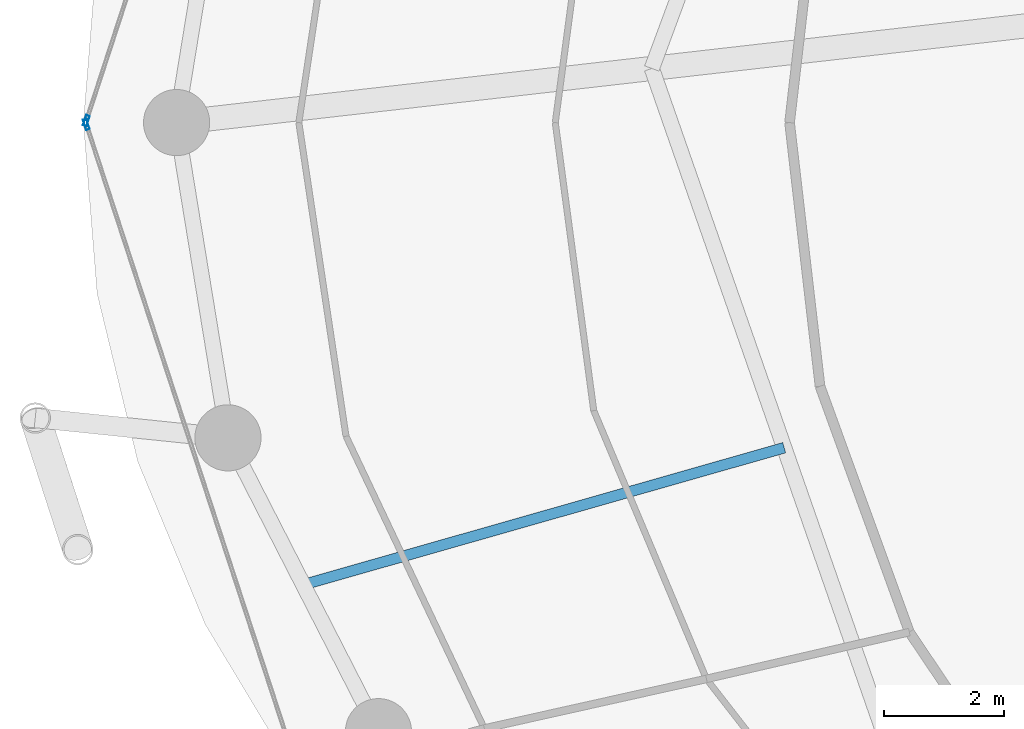
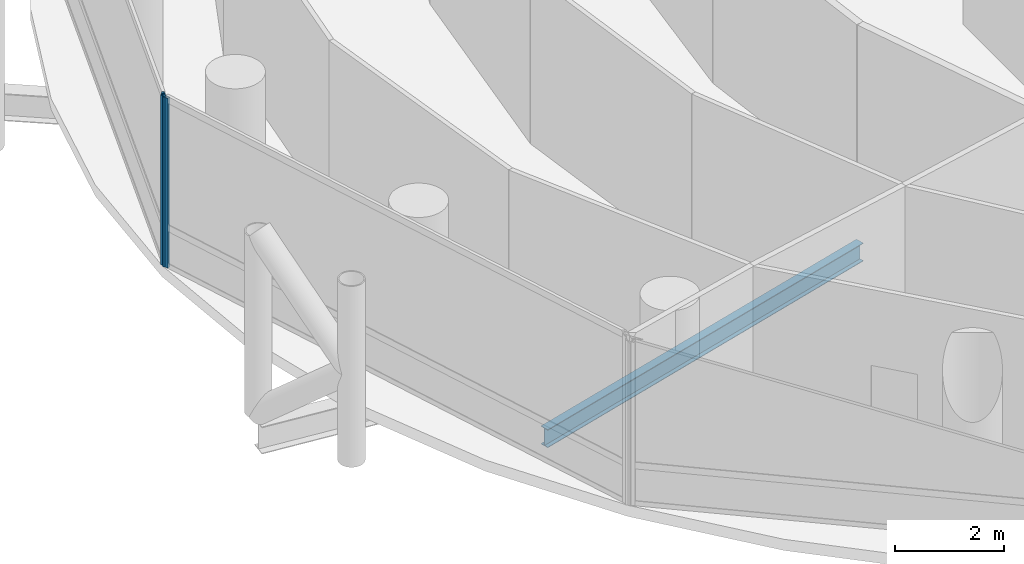
# One storey, part 6 of 26: 2 members, 1 beam, 2 elements without a shape of their own.
"""IFC4 building model written with IfcOpenShell, lengths in metres."""

import ifcopenshell
import ifcopenshell.guid

model = None  # the IFC model being written
_history = None  # IfcOwnerHistory: only IFC2X3 demands one
_inside = {}  # id of a spatial element -> (the spatial element, [elements in it])
_under = {}  # id of a project, library or spatial element -> (it, [spatial elements below it])
_declared = {}  # id of a project -> (the project, [libraries it declares])
_typed = {}  # id of a type object -> (the type object, [elements of that type])
_made_of = {}  # id of a material, layer set ... -> (it, [elements and type objects made of it])


def new_model(schema):
    """Start an empty IFC model of exactly this schema.

    Asked for "IFC4X3", IfcOpenShell would pick the latest addendum, in which some entities
    have other attributes; the version numbers below select the first issue.
    IFC2X3 requires an IfcOwnerHistory on every rooted entity: one is made here for all.
    """
    global model, _history
    if schema == "IFC4X3":
        model = ifcopenshell.file(schema_version=(4, 3, 0, 0))
    else:
        model = ifcopenshell.file(schema=schema)
    _inside.clear()
    _under.clear()
    _declared.clear()
    _typed.clear()
    _made_of.clear()
    _history = None
    if model.schema == "IFC2X3":
        org = make("IfcOrganization", Name="unknown")
        user = make(
            "IfcPersonAndOrganization",
            ThePerson=make("IfcPerson", FamilyName="unknown"),
            TheOrganization=org,
        )
        app = make(
            "IfcApplication",
            ApplicationDeveloper=org,
            Version="unknown",
            ApplicationFullName="unknown",
            ApplicationIdentifier="unknown",
        )
        _history = make(
            "IfcOwnerHistory",
            OwningUser=user,
            OwningApplication=app,
            ChangeAction="ADDED",
            CreationDate=0,
        )
    return model


def make(cls, **values):
    """One entity of the class cls with the attributes given. An attribute that is None is left unset."""
    return model.create_entity(
        cls, **{name: value for name, value in values.items() if value is not None}
    )


def rooted(cls, **values):
    """An entity with a GlobalId (a new one), such as an element, a storey or a relation."""
    return make(cls, GlobalId=ifcopenshell.guid.new(), OwnerHistory=_history, **values)


def si_unit(unit_type, name, prefix=None):
    """IfcSIUnit, for example si_unit("LENGTHUNIT", "METRE", prefix="MILLI")."""
    return make("IfcSIUnit", UnitType=unit_type, Prefix=prefix, Name=name)


def assignment(units):
    """IfcUnitAssignment: the units of a project."""
    return None if units is None else make("IfcUnitAssignment", Units=units)


def point(xyz):
    """IfcCartesianPoint."""
    return None if xyz is None else make("IfcCartesianPoint", Coordinates=xyz)


def direction(xyz):
    """IfcDirection."""
    return None if xyz is None else make("IfcDirection", DirectionRatios=xyz)


def frame(location, z_axis=None, x_axis=None):
    """IfcAxis2Placement3D, a coordinate frame: its origin and axes. An axis left out is left unset."""
    return make(
        "IfcAxis2Placement3D",
        Location=point(location),
        Axis=direction(z_axis),
        RefDirection=direction(x_axis),
    )


def frame_2d(location, x_axis=None):
    """IfcAxis2Placement2D, a coordinate frame in the plane: its origin and x axis."""
    return make(
        "IfcAxis2Placement2D", Location=point(location), RefDirection=direction(x_axis)
    )


def origin():
    """The frame at (0, 0, 0) with its axes left unset."""
    return frame((0.0, 0.0, 0.0))


def origin_2d():
    """The frame at (0, 0) in the plane with its x axis left unset."""
    return frame_2d((0.0, 0.0))


def place(relative_to, where):
    """IfcLocalPlacement: puts the frame where relative to a parent placement (None: the world)."""
    return make(
        "IfcLocalPlacement", PlacementRelTo=relative_to, RelativePlacement=where
    )


def context(
    kind, dimensions, precision=None, world=None, true_north=None, identifier=None
):
    """IfcGeometricRepresentationContext, for example the 3D "Model" context."""
    return make(
        "IfcGeometricRepresentationContext",
        ContextIdentifier=identifier,
        ContextType=kind,
        CoordinateSpaceDimension=dimensions,
        Precision=precision,
        WorldCoordinateSystem=world,
        TrueNorth=true_north,
    )


def subcontext(parent, identifier, kind, view, scale=None):
    """IfcGeometricRepresentationSubContext, for example "Body" below "Model"."""
    return make(
        "IfcGeometricRepresentationSubContext",
        ContextIdentifier=identifier,
        ContextType=kind,
        ParentContext=parent,
        TargetScale=scale,
        TargetView=view,
    )


def project(units=None, contexts=None):
    """IfcProject with its units and contexts."""
    return rooted(
        "IfcProject",
        Name="project",
        RepresentationContexts=contexts,
        UnitsInContext=assignment(units),
    )


def spatial(cls, under=None, at=None, **own):
    """A site, building, storey or space (cls), placed at a placement, below another one or the project."""
    s = rooted(cls, ObjectPlacement=at, **own)
    if under is not None:
        _under.setdefault(under.id(), (under, []))[1].append(s)
    return s


def profile(cls, at=None, kind="AREA", **sizes):
    """A parametric profile (cls). Its sizes go by their IFC names, for example OverallWidth=200.0."""
    return make(cls, ProfileType=kind, Position=at, **sizes)


def hollow_rectangle(**sizes):
    """IfcRectangleHollowProfileDef."""
    return profile("IfcRectangleHollowProfileDef", **sizes)


def i_section(**sizes):
    """IfcIShapeProfileDef."""
    return profile("IfcIShapeProfileDef", **sizes)


def extrude(swept, where, along, depth):
    """IfcExtrudedAreaSolid: the profile swept, set in the frame where, extruded along a direction by depth."""
    return make(
        "IfcExtrudedAreaSolid",
        SweptArea=swept,
        Position=where,
        ExtrudedDirection=direction(along),
        Depth=depth,
    )


def shape(context_of_items, identifier, shape_type, items):
    """IfcShapeRepresentation: the items that make up one representation, for example the "Body"."""
    return make(
        "IfcShapeRepresentation",
        ContextOfItems=context_of_items,
        RepresentationIdentifier=identifier,
        RepresentationType=shape_type,
        Items=items,
    )


def material(Name=None, Category=None):
    """IfcMaterial."""
    return make("IfcMaterial", Name=Name, Category=Category)


def layer(
    of_material, thickness, ventilated=None, Name=None, Category=None, Priority=None
):
    """IfcMaterialLayer: one layer of a wall or slab, of a material (None: an air gap)."""
    return make(
        "IfcMaterialLayer",
        Material=of_material,
        LayerThickness=thickness,
        IsVentilated=ventilated,
        Name=Name,
        Category=Category,
        Priority=Priority,
    )


def layer_set(layers, Name=None):
    """IfcMaterialLayerSet."""
    return make("IfcMaterialLayerSet", MaterialLayers=layers, LayerSetName=Name)


def material_profile(
    of_material, cross_section, Name=None, Category=None, Priority=None
):
    """IfcMaterialProfile: a cross section and its material."""
    return make(
        "IfcMaterialProfile",
        Name=Name,
        Material=of_material,
        Profile=cross_section,
        Priority=Priority,
        Category=Category,
    )


def profile_set(profiles, Name=None, composite=None):
    """IfcMaterialProfileSet."""
    return make(
        "IfcMaterialProfileSet",
        Name=Name,
        MaterialProfiles=profiles,
        CompositeProfile=composite,
    )


def made_of(thing, what):
    """Note that an element or type object is made of a material, layer set ...; save() writes the relation."""
    if what is not None:
        _made_of.setdefault(what.id(), (what, []))[1].append(thing)
    return thing


def type_object(cls, material=None, **own):
    """A type object (cls), such as IfcWallType, which elements share."""
    return made_of(rooted(cls, **own), material)


def element(
    cls,
    number,
    at=None,
    inside=None,
    cuts=None,
    type_object=None,
    material=None,
    context=None,
    identifier="Body",
    shape_type=None,
    held_by="IfcProductDefinitionShape",
    body=None,
    shapes=None,
    **own,
):
    """One element of the class cls, such as IfcWall. Its Tag is "e" and its number.

    at: its placement. inside: the storey or other place that contains it. cuts: it is an
    opening in that element (IfcRelVoidsElement). A single representation is given by context,
    identifier, shape_type and body (its items); several are given by shapes. held_by: the class
    of the entity that holds the representations. save() writes the other relations.
    """
    e = rooted(cls, Tag="e%d" % number, ObjectPlacement=at, **own)
    if body is not None:
        shapes = [shape(context, identifier, shape_type, body)]
    if shapes is not None:
        e.Representation = make(held_by, Representations=shapes)
    if inside is not None:
        _inside.setdefault(inside.id(), (inside, []))[1].append(e)
    if cuts is not None:
        rooted(
            "IfcRelVoidsElement", RelatingBuildingElement=cuts, RelatedOpeningElement=e
        )
    if type_object is not None:
        _typed.setdefault(type_object.id(), (type_object, []))[1].append(e)
    return made_of(e, material)


def aggregate(whole, parts):
    """IfcRelAggregates: a whole, such as a stair, and the parts it consists of."""
    return rooted("IfcRelAggregates", RelatingObject=whole, RelatedObjects=parts)


def save(model, path):
    """Write the relations noted so far, then the file.

    IfcRelAggregates (storeys below a building ...), IfcRelContainedInSpatialStructure (elements
    in a storey), IfcRelDefinesByType, IfcRelAssociatesMaterial and IfcRelDeclares: one each for
    every whole, place, type object, material and project.
    """
    for whole, parts in _under.values():
        aggregate(whole, parts)
    for where, things in _inside.values():
        rooted(
            "IfcRelContainedInSpatialStructure",
            RelatedElements=things,
            RelatingStructure=where,
        )
    for kind, things in _typed.values():
        rooted("IfcRelDefinesByType", RelatedObjects=things, RelatingType=kind)
    for what, things in _made_of.values():
        rooted("IfcRelAssociatesMaterial", RelatedObjects=things, RelatingMaterial=what)
    for by, libraries in _declared.values():
        rooted("IfcRelDeclares", RelatingContext=by, RelatedDefinitions=libraries)
    model.write(path)


model = new_model("IFC4")

# Units and contexts
model_context = context("Model", 3, precision=1e-05, world=origin(), true_north=direction((0.0, 1.0)))
body_context = subcontext(model_context, "Body", "Model", "MODEL_VIEW")
ifc_project = project(units=[si_unit("LENGTHUNIT", "METRE"), si_unit("AREAUNIT", "SQUARE_METRE"), si_unit("VOLUMEUNIT", "CUBIC_METRE"), si_unit("PLANEANGLEUNIT", "RADIAN"), si_unit("MASSUNIT", "GRAM", prefix="KILO")], contexts=[model_context])

# Site, building, storey
site_placement = place(None, origin())
site = spatial("IfcSite", under=ifc_project, at=site_placement, CompositionType="ELEMENT")
building_placement = place(site_placement, origin())
building = spatial("IfcBuilding", under=site, at=building_placement, Name="Nuhasar Tower", CompositionType="ELEMENT")
storey_placement = place(building_placement, frame((0.0, 0.0, 97.949951171875)))
storey = spatial("IfcBuildingStorey", under=building, at=storey_placement, Name="L23", CompositionType="ELEMENT", Elevation=97.949951171875)

# Beam
ifc_material_1 = material(Name="Steel S355", Category="steel")
ifc_material_profile_1 = material_profile(ifc_material_1, i_section(OverallWidth=0.177978515625, OverallDepth=0.406005859375, WebThickness=0.0078125, FlangeThickness=0.0126953125, at=origin_2d()), Name="W16X40")
ifc_profile_set_1 = profile_set([ifc_material_profile_1], Name="Steel S355")
beam_type = type_object("IfcBeamType", Name="BM-JST-W16X40", PredefinedType="JOIST", material=ifc_profile_set_1)
beam_placement = place(storey_placement, frame((24.051025390625, 21.39501953125, -0.452880859375), z_axis=(-0.961730884496, -0.273995813484, 0.0), x_axis=(0.273995813484, -0.961730884496, 0.0)))
element("IfcBeam", 1, at=beam_placement, inside=storey, type_object=beam_type, Name="L23 Secondary Floor Joist 08", PredefinedType="JOIST", context=body_context, shape_type="SweptSolid", body=[
    extrude(i_section(OverallWidth=0.177978515625, OverallDepth=0.406005859375, WebThickness=0.0078125, FlangeThickness=0.0126953125, at=origin_2d()), origin(), (0.0, 0.0, 1.0), 8.314208984375),
])

# Curtain wall, member
ifc_material_2 = material(Name="Aluminium 6063-T6", Category="aluminium")
ifc_layer = layer(ifc_material_2, 0.199951171875)
ifc_layer_set = layer_set([ifc_layer], Name="Aluminium 6063-T6")
curtain_wall_type = type_object("IfcCurtainWallType", Name="CW-Z1-OFF", PredefinedType="NOTDEFINED", material=ifc_layer_set)
curtain_wall_1_placement = place(storey_placement, origin())
curtain_wall_1 = element("IfcCurtainWall", 2, at=curtain_wall_1_placement, inside=storey, type_object=curtain_wall_type, Name="L23 Unitised Curtain Wall 06", PredefinedType="NOTDEFINED")
ifc_material_profile_2 = material_profile(ifc_material_2, hollow_rectangle(XDim=0.06494140625, YDim=0.179931640625, WallThickness=0.0048828125, at=origin_2d()), Name="CWM-2")
ifc_profile_set_2 = profile_set([ifc_material_profile_2], Name="Aluminium 6063-T6")
member_type = type_object("IfcMemberType", Name="CW-MUL-S2", PredefinedType="MULLION", material=ifc_profile_set_2)
member_1_placement = place(storey_placement, frame((12.4501953125, 26.830810546875, 0.0), z_axis=(0.0, 0.0, 1.0), x_axis=(0.950467534571, -0.310823849997, 0.0)))
member_1 = element("IfcMember", 3, at=member_1_placement, type_object=member_type, Name="CW-Z1 mullion 2", PredefinedType="MULLION", context=body_context, shape_type="SweptSolid", body=[
    extrude(hollow_rectangle(XDim=0.06494140625, YDim=0.179931640625, WallThickness=0.0048828125, at=origin_2d()), origin(), (0.0, 0.0, 1.0), 3.800048828125),
])
aggregate(curtain_wall_1, [member_1])

curtain_wall_2_placement = place(storey_placement, origin())
curtain_wall_2 = element("IfcCurtainWall", 4, at=curtain_wall_2_placement, inside=storey, type_object=curtain_wall_type, Name="L23 Unitised Curtain Wall 07", PredefinedType="NOTDEFINED")
member_2_placement = place(storey_placement, frame((12.4501953125, 26.76904296875, 0.0), z_axis=(0.0, 0.0, 1.0), x_axis=(0.950467534571, 0.310823849997, 0.0)))
member_2 = element("IfcMember", 5, at=member_2_placement, type_object=member_type, Name="CW-Z1 mullion 1", PredefinedType="MULLION", context=body_context, shape_type="SweptSolid", body=[
    extrude(hollow_rectangle(XDim=0.06494140625, YDim=0.179931640625, WallThickness=0.0048828125, at=origin_2d()), origin(), (0.0, 0.0, 1.0), 3.800048828125),
])
aggregate(curtain_wall_2, [member_2])

save(model, "model.ifc")
